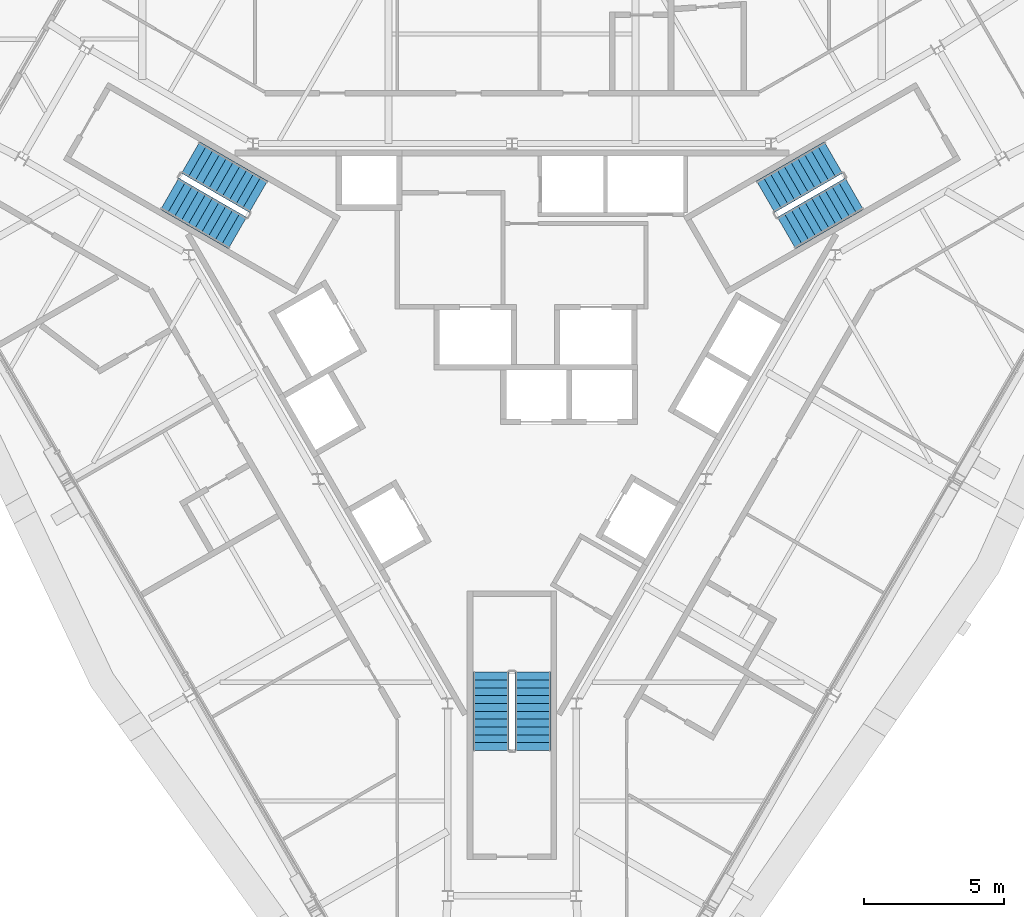
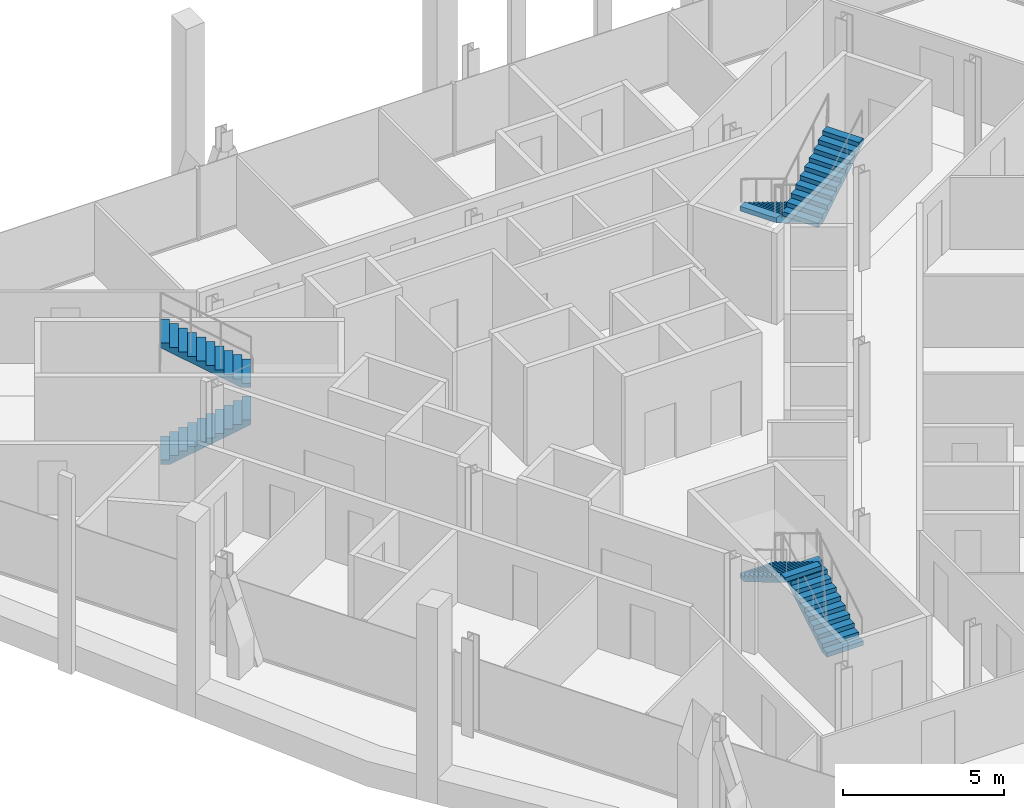
# One storey, part 12 of 14: 6 stair flights, 3 elements without a shape of their own.
"""IFC4 building model written with IfcOpenShell, lengths in metres."""

from ifc_helpers import new_model, si_unit, direction, frame, origin, place, context, subcontext, project, spatial, polyline, outline, extrude, material, type_object, element, aggregate, save


model = new_model("IFC4")

# Units and contexts
model_context = context("Model", 3, precision=1e-05, world=origin(), true_north=direction((0.0, 1.0)))
body_context = subcontext(model_context, "Body", "Model", "MODEL_VIEW")
ifc_project = project(units=[si_unit("LENGTHUNIT", "METRE"), si_unit("AREAUNIT", "SQUARE_METRE"), si_unit("VOLUMEUNIT", "CUBIC_METRE"), si_unit("PLANEANGLEUNIT", "RADIAN"), si_unit("MASSUNIT", "GRAM", prefix="KILO")], contexts=[model_context])

# Site, building, storey
site_placement = place(None, origin())
site = spatial("IfcSite", under=ifc_project, at=site_placement, CompositionType="ELEMENT")
building_placement = place(site_placement, origin())
building = spatial("IfcBuilding", under=site, at=building_placement, Name="Verrane Prism Tower", CompositionType="ELEMENT")
storey_placement = place(building_placement, frame((0.0, 0.0, 228.60009765625)))
storey = spatial("IfcBuildingStorey", under=building, at=storey_placement, Name="L57", CompositionType="ELEMENT", Elevation=228.60009765625)

# Stair, stair flights
ifc_material_1 = material(Name="Concrete C40/50", Category="concrete")
stair_type = type_object("IfcStairType", Name="Exit stair 1300 dog-leg precast concrete C40/50", PredefinedType="HALF_TURN_STAIR", material=ifc_material_1)
stair_1_placement = place(storey_placement, origin())
stair_1 = element("IfcStair", 1, at=stair_1_placement, inside=storey, type_object=stair_type, Name="Stair 1 L57", PredefinedType="HALF_TURN_STAIR")
ifc_material_2 = material(Name="Concrete C40/50", Category="concrete")
stair_flight_type = type_object("IfcStairFlightType", Name="Stair flight 1300 precast concrete C40/50", PredefinedType="STRAIGHT", material=ifc_material_2)
stair_flight_1_placement = place(storey_placement, frame((11.489501953125, 7.49951171875, 0.0), z_axis=(0.0, 0.0, 1.0), x_axis=(-0.866025403784, -0.5, 0.0)))
stair_flight_1 = element("IfcStairFlight", 2, at=stair_flight_1_placement, type_object=stair_flight_type, Name="Stair 1 flight 1", NumberOfRisers=11, NumberOfTreads=10, PredefinedType="STRAIGHT", RiserHeight=0.168181818, TreadLength=0.28, context=body_context, shape_type="SweptSolid", body=[
    extrude(outline(polyline([(0.0, 0.0), (0.0, 0.168212890625), (0.280029296875, 0.168212890625), (0.280029296875, 0.33642578125), (0.56005859375, 0.33642578125), (0.56005859375, 0.504638671875), (0.840087890625, 0.504638671875), (0.840087890625, 0.672607421875), (1.1201171875, 0.672607421875), (1.1201171875, 0.8408203125), (1.39990234375, 0.8408203125), (1.39990234375, 1.009033203125), (1.679931640625, 1.009033203125), (1.679931640625, 1.17724609375), (1.9599609375, 1.17724609375), (1.9599609375, 1.345458984375), (2.239990234375, 1.345458984375), (2.239990234375, 1.513671875), (2.52001953125, 1.513671875), (2.52001953125, 1.681884765625), (2.800048828125, 1.681884765625), (2.800048828125, 1.85009765625), (2.800048828125, 1.5068359375), (0.291015625, 0.0), (0.0, 0.0)])), frame((0.0, 0.64990234375, 0.0), z_axis=(0.0, -1.0, 0.0), x_axis=(1.0, 0.0, 0.0)), (0.0, 0.0, 1.0), 1.300048828125),
])
stair_flight_2_placement = place(storey_placement, frame((9.814697265625, 4.800537109375, 1.849853515625), z_axis=(0.0, 0.0, 1.0), x_axis=(0.866025403784, 0.5, 0.0)))
stair_flight_2 = element("IfcStairFlight", 3, at=stair_flight_2_placement, type_object=stair_flight_type, Name="Stair 1 flight 2", NumberOfRisers=11, NumberOfTreads=10, PredefinedType="STRAIGHT", RiserHeight=0.168181818, TreadLength=0.28, context=body_context, shape_type="SweptSolid", body=[
    extrude(outline(polyline([(0.0, 0.0), (0.0, 0.168212890625), (0.280029296875, 0.168212890625), (0.280029296875, 0.33642578125), (0.56005859375, 0.33642578125), (0.56005859375, 0.504638671875), (0.840087890625, 0.504638671875), (0.840087890625, 0.672607421875), (1.1201171875, 0.672607421875), (1.1201171875, 0.8408203125), (1.39990234375, 0.8408203125), (1.39990234375, 1.009033203125), (1.679931640625, 1.009033203125), (1.679931640625, 1.17724609375), (1.9599609375, 1.17724609375), (1.9599609375, 1.345458984375), (2.239990234375, 1.345458984375), (2.239990234375, 1.513671875), (2.52001953125, 1.513671875), (2.52001953125, 1.681884765625), (2.800048828125, 1.681884765625), (2.800048828125, 1.85009765625), (2.800048828125, 1.5068359375), (0.291015625, 0.0), (0.0, 0.0)])), frame((0.0, 0.64990234375, 0.0), z_axis=(0.0, -1.0, 0.0), x_axis=(1.0, 0.0, 0.0)), (0.0, 0.0, 1.0), 1.300048828125),
])
aggregate(stair_1, [stair_flight_1, stair_flight_2])

stair_2_placement = place(storey_placement, origin())
stair_2 = element("IfcStair", 4, at=stair_2_placement, inside=storey, type_object=stair_type, Name="Stair 2 L57", PredefinedType="HALF_TURN_STAIR")
stair_flight_3_placement = place(storey_placement, frame((-12.239501953125, 6.200439453125, 0.0), z_axis=(0.0, 0.0, 1.0), x_axis=(0.866025403784, -0.5, 0.0)))
stair_flight_3 = element("IfcStairFlight", 5, at=stair_flight_3_placement, type_object=stair_flight_type, Name="Stair 2 flight 1", NumberOfRisers=11, NumberOfTreads=10, PredefinedType="STRAIGHT", RiserHeight=0.168181818, TreadLength=0.28, context=body_context, shape_type="SweptSolid", body=[
    extrude(outline(polyline([(0.0, 0.0), (0.0, 0.168212890625), (0.280029296875, 0.168212890625), (0.280029296875, 0.33642578125), (0.56005859375, 0.33642578125), (0.56005859375, 0.504638671875), (0.840087890625, 0.504638671875), (0.840087890625, 0.672607421875), (1.1201171875, 0.672607421875), (1.1201171875, 0.8408203125), (1.39990234375, 0.8408203125), (1.39990234375, 1.009033203125), (1.679931640625, 1.009033203125), (1.679931640625, 1.17724609375), (1.9599609375, 1.17724609375), (1.9599609375, 1.345458984375), (2.239990234375, 1.345458984375), (2.239990234375, 1.513671875), (2.52001953125, 1.513671875), (2.52001953125, 1.681884765625), (2.800048828125, 1.681884765625), (2.800048828125, 1.85009765625), (2.800048828125, 1.5068359375), (0.291015625, 0.0), (0.0, 0.0)])), frame((0.0, 0.64990234375, 0.0), z_axis=(0.0, -1.0, 0.0), x_axis=(1.0, 0.0, 0.0)), (0.0, 0.0, 1.0), 1.300048828125),
])
stair_flight_4_placement = place(storey_placement, frame((-9.064697265625, 6.099609375, 1.849853515625), z_axis=(0.0, 0.0, 1.0), x_axis=(-0.866025403784, 0.5, 0.0)))
stair_flight_4 = element("IfcStairFlight", 6, at=stair_flight_4_placement, type_object=stair_flight_type, Name="Stair 2 flight 2", NumberOfRisers=11, NumberOfTreads=10, PredefinedType="STRAIGHT", RiserHeight=0.168181818, TreadLength=0.28, context=body_context, shape_type="SweptSolid", body=[
    extrude(outline(polyline([(0.0, 0.0), (0.0, 0.168212890625), (0.280029296875, 0.168212890625), (0.280029296875, 0.33642578125), (0.56005859375, 0.33642578125), (0.56005859375, 0.504638671875), (0.840087890625, 0.504638671875), (0.840087890625, 0.672607421875), (1.1201171875, 0.672607421875), (1.1201171875, 0.8408203125), (1.39990234375, 0.8408203125), (1.39990234375, 1.009033203125), (1.679931640625, 1.009033203125), (1.679931640625, 1.17724609375), (1.9599609375, 1.17724609375), (1.9599609375, 1.345458984375), (2.239990234375, 1.345458984375), (2.239990234375, 1.513671875), (2.52001953125, 1.513671875), (2.52001953125, 1.681884765625), (2.800048828125, 1.681884765625), (2.800048828125, 1.85009765625), (2.800048828125, 1.5068359375), (0.291015625, 0.0), (0.0, 0.0)])), frame((0.0, 0.64990234375, 0.0), z_axis=(0.0, -1.0, 0.0), x_axis=(1.0, 0.0, 0.0)), (0.0, 0.0, 1.0), 1.300048828125),
])
aggregate(stair_2, [stair_flight_3, stair_flight_4])

stair_3_placement = place(storey_placement, origin())
stair_3 = element("IfcStair", 7, at=stair_3_placement, inside=storey, type_object=stair_type, Name="Stair 3 L57", PredefinedType="HALF_TURN_STAIR")
stair_flight_5_placement = place(storey_placement, frame((0.75, -13.699951171875, 0.0), z_axis=(0.0, 0.0, 1.0), x_axis=(0.0, 1.0, 0.0)))
stair_flight_5 = element("IfcStairFlight", 8, at=stair_flight_5_placement, type_object=stair_flight_type, Name="Stair 3 flight 1", NumberOfRisers=11, NumberOfTreads=10, PredefinedType="STRAIGHT", RiserHeight=0.168181818, TreadLength=0.28, context=body_context, shape_type="SweptSolid", body=[
    extrude(outline(polyline([(0.0, 0.0), (0.0, 0.168212890625), (0.280029296875, 0.168212890625), (0.280029296875, 0.33642578125), (0.56005859375, 0.33642578125), (0.56005859375, 0.504638671875), (0.840087890625, 0.504638671875), (0.840087890625, 0.672607421875), (1.1201171875, 0.672607421875), (1.1201171875, 0.8408203125), (1.39990234375, 0.8408203125), (1.39990234375, 1.009033203125), (1.679931640625, 1.009033203125), (1.679931640625, 1.17724609375), (1.9599609375, 1.17724609375), (1.9599609375, 1.345458984375), (2.239990234375, 1.345458984375), (2.239990234375, 1.513671875), (2.52001953125, 1.513671875), (2.52001953125, 1.681884765625), (2.800048828125, 1.681884765625), (2.800048828125, 1.85009765625), (2.800048828125, 1.5068359375), (0.291015625, 0.0), (0.0, 0.0)])), frame((0.0, 0.64990234375, 0.0), z_axis=(0.0, -1.0, 0.0), x_axis=(1.0, 0.0, 0.0)), (0.0, 0.0, 1.0), 1.300048828125),
])
stair_flight_6_placement = place(storey_placement, frame((-0.75, -10.89990234375, 1.849853515625), z_axis=(0.0, 0.0, 1.0), x_axis=(0.0, -1.0, 0.0)))
stair_flight_6 = element("IfcStairFlight", 9, at=stair_flight_6_placement, type_object=stair_flight_type, Name="Stair 3 flight 2", NumberOfRisers=11, NumberOfTreads=10, PredefinedType="STRAIGHT", RiserHeight=0.168181818, TreadLength=0.28, context=body_context, shape_type="SweptSolid", body=[
    extrude(outline(polyline([(0.0, 0.0), (0.0, 0.168212890625), (0.280029296875, 0.168212890625), (0.280029296875, 0.33642578125), (0.56005859375, 0.33642578125), (0.56005859375, 0.504638671875), (0.840087890625, 0.504638671875), (0.840087890625, 0.672607421875), (1.1201171875, 0.672607421875), (1.1201171875, 0.8408203125), (1.39990234375, 0.8408203125), (1.39990234375, 1.009033203125), (1.679931640625, 1.009033203125), (1.679931640625, 1.17724609375), (1.9599609375, 1.17724609375), (1.9599609375, 1.345458984375), (2.239990234375, 1.345458984375), (2.239990234375, 1.513671875), (2.52001953125, 1.513671875), (2.52001953125, 1.681884765625), (2.800048828125, 1.681884765625), (2.800048828125, 1.85009765625), (2.800048828125, 1.5068359375), (0.291015625, 0.0), (0.0, 0.0)])), frame((0.0, 0.64990234375, 0.0), z_axis=(0.0, -1.0, 0.0), x_axis=(1.0, 0.0, 0.0)), (0.0, 0.0, 1.0), 1.300048828125),
])
aggregate(stair_3, [stair_flight_5, stair_flight_6])

save(model, "model.ifc")
